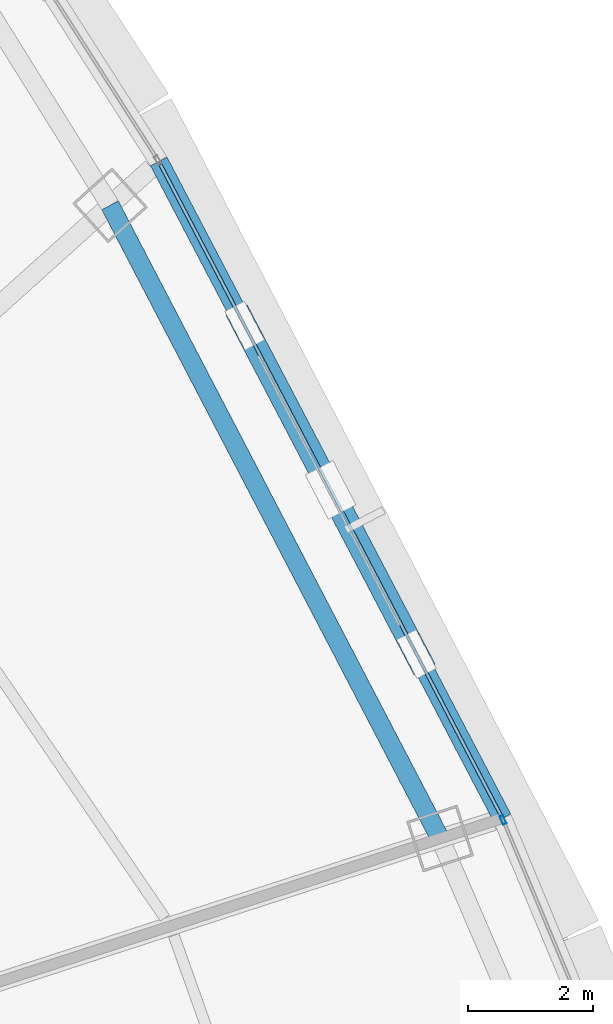
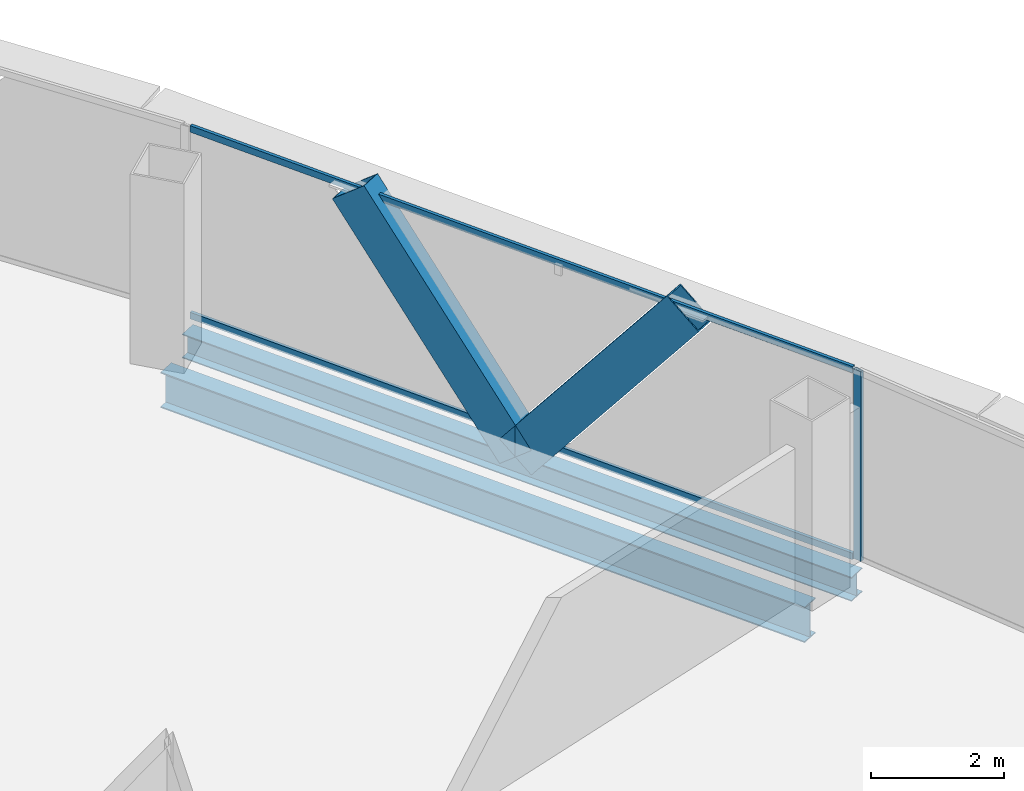
# One storey, part 15 of 36: 5 members, 2 beams, 2 elements without a shape of their own.
"""IFC4 building model written with IfcOpenShell, lengths in metres."""

from ifc_helpers import new_model, si_unit, direction, frame, origin, origin_2d, place, context, subcontext, project, spatial, hollow_rectangle, i_section, extrude, source, transform, mapped, material, layer, layer_set, material_profile, profile_set, type_object, element, aggregate, save


model = new_model("IFC4")

# Units and contexts
model_context = context("Model", 3, precision=1e-05, world=origin(), true_north=direction((0.0, 1.0)))
body_context = subcontext(model_context, "Body", "Model", "MODEL_VIEW")
ifc_project = project(units=[si_unit("LENGTHUNIT", "METRE"), si_unit("AREAUNIT", "SQUARE_METRE"), si_unit("VOLUMEUNIT", "CUBIC_METRE"), si_unit("PLANEANGLEUNIT", "RADIAN"), si_unit("MASSUNIT", "GRAM", prefix="KILO"), si_unit("THERMODYNAMICTEMPERATUREUNIT", "KELVIN"), si_unit("POWERUNIT", "WATT")], contexts=[model_context])

# Site, building, storey
site_placement = place(None, origin())
site = spatial("IfcSite", under=ifc_project, at=site_placement, CompositionType="ELEMENT")
building_placement = place(site_placement, origin())
building = spatial("IfcBuilding", under=site, at=building_placement, Name="Yunzhuo Pagoda Commons", CompositionType="ELEMENT")
storey_placement = place(building_placement, frame((0.0, 0.0, 263.179931640625)))
storey = spatial("IfcBuildingStorey", under=building, at=storey_placement, Name="L66", CompositionType="ELEMENT", Elevation=263.179931640625)

# Beams
ifc_material_1 = material(Name="Structural steel Q355B", Category="steel")
ifc_material_profile_1 = material_profile(ifc_material_1, i_section(OverallWidth=0.300048828125, OverallDepth=0.64990234375, WebThickness=0.012939453125, FlangeThickness=0.02197265625, at=origin_2d()), Name="Structural steel Q355B")
ifc_profile_set_1 = profile_set([ifc_material_profile_1], Name="Structural steel Q355B")
beam_type_1 = type_object("IfcBeamType", Name="B-RG2 Beam HN 650x300x13x22", PredefinedType="BEAM", material=ifc_profile_set_1)
shared_shape_1 = source(origin(), body_context, "Body", "SweptSolid", [
    extrude(i_section(OverallWidth=0.300048828125, OverallDepth=0.64990234375, WebThickness=0.012939453125, FlangeThickness=0.02197265625, at=origin_2d()), origin(), (0.0, 0.0, 1.0), 11.43896484375),
])
beam_1_placement = place(storey_placement, frame((73.898681640625, 42.114990234375, -0.5849609375), z_axis=(-0.462175736513, 0.886788356136, 0.0), x_axis=(-0.886788356136, -0.462175736513, 0.0)))
element("IfcBeam", 1, at=beam_1_placement, inside=storey, type_object=beam_type_1, Name="L66 column-ring beam 6", PredefinedType="BEAM", context=body_context, shape_type="MappedRepresentation", body=[
    mapped(shared_shape_1, transform((0.0, 0.0, 0.0), scale=1.0)),
])
ifc_material_profile_2 = material_profile(ifc_material_1, i_section(OverallWidth=0.300048828125, OverallDepth=0.43994140625, WebThickness=0.010986328125, FlangeThickness=0.01806640625, at=origin_2d()), Name="Structural steel Q355B")
ifc_profile_set_2 = profile_set([ifc_material_profile_2], Name="Structural steel Q355B")
beam_type_2 = type_object("IfcBeamType", Name="B-SP2 Beam HM 440x300x11x18", PredefinedType="BEAM", material=ifc_profile_set_2)
shared_shape_2 = source(origin(), body_context, "Body", "SweptSolid", [
    extrude(i_section(OverallWidth=0.300048828125, OverallDepth=0.43994140625, WebThickness=0.010986328125, FlangeThickness=0.01806640625, at=origin_2d()), origin(), (0.0, 0.0, 1.0), 11.875244140625),
])
beam_2_placement = place(storey_placement, frame((74.897216796875, 42.439453125, -0.47998046875), z_axis=(-0.463576744951, 0.88605677106, 0.0), x_axis=(-0.88605677106, -0.463576744951, 0.0)))
element("IfcBeam", 2, at=beam_2_placement, inside=storey, type_object=beam_type_2, Name="L66 facade edge spandrel beam F2.2", PredefinedType="BEAM", context=body_context, shape_type="MappedRepresentation", body=[
    mapped(shared_shape_2, transform((0.0, 0.0, 0.0), scale=1.0)),
])

# Members
ifc_material_profile_3 = material_profile(ifc_material_1, hollow_rectangle(XDim=0.3798828125, YDim=0.719970703125, WallThickness=0.02001953125, at=origin_2d()), Name="Structural steel Q355B")
ifc_profile_set_3 = profile_set([ifc_material_profile_3], Name="Structural steel Q355B")
member_type_1 = type_object("IfcMemberType", Name="M-DL3 Brace BOX 720x380x20", PredefinedType="BRACE", material=ifc_profile_set_3)
shared_shape_3 = source(origin(), body_context, "Body", "SweptSolid", [
    extrude(hollow_rectangle(XDim=0.3798828125, YDim=0.719970703125, WallThickness=0.02001953125, at=origin_2d()), origin(), (0.0, 0.0, 1.0), 4.767333984375),
])
member_1_placement = place(storey_placement, frame((72.14453125, 47.70068359375, -0.260009765625), z_axis=(0.288727963892, -0.551799186048, 0.782402595307), x_axis=(0.886035855548, 0.46361671959, 0.0)))
element("IfcMember", 3, at=member_1_placement, inside=storey, type_object=member_type_1, Name="L66 facade diamond brace F2.2L", PredefinedType="BRACE", context=body_context, shape_type="MappedRepresentation", body=[
    mapped(shared_shape_3, transform((0.0, 0.0, 0.0), scale=1.0)),
])
shared_shape_4 = source(origin(), body_context, "Body", "SweptSolid", [
    extrude(hollow_rectangle(XDim=0.3798828125, YDim=0.719970703125, WallThickness=0.02001953125, at=origin_2d()), origin(), (0.0, 0.0, 1.0), 4.76708984375),
])
member_2_placement = place(storey_placement, frame((72.14453125, 47.70068359375, -0.260009765625), z_axis=(-0.288642232642, 0.551779881917, 0.78244784072), x_axis=(-0.88608574078, -0.463521369504, 0.0)))
element("IfcMember", 4, at=member_2_placement, inside=storey, type_object=member_type_1, Name="L66 facade diamond brace F2.2R", PredefinedType="BRACE", context=body_context, shape_type="MappedRepresentation", body=[
    mapped(shared_shape_4, transform((0.0, 0.0, 0.0), scale=1.0)),
])

# Curtain wall, member
ifc_material_2 = material(Name="Anodized aluminium 6063-T6", Category="aluminium")
ifc_layer = layer(ifc_material_2, 0.139892578125)
ifc_layer_set = layer_set([ifc_layer], Name="Anodized aluminium 6063-T6")
curtain_wall_type = type_object("IfcCurtainWallType", Name="CW-HI High-Zone Ribbon Curtain Wall", PredefinedType="NOTDEFINED", material=ifc_layer_set)
curtain_wall_1_placement = place(storey_placement, origin())
curtain_wall_1 = element("IfcCurtainWall", 5, at=curtain_wall_1_placement, inside=storey, type_object=curtain_wall_type, Name="L66 curtain wall CW-L66-F2B2", PredefinedType="NOTDEFINED")
ifc_material_profile_4 = material_profile(ifc_material_2, hollow_rectangle(XDim=0.06005859375, YDim=0.139892578125, WallThickness=0.00341796875, at=origin_2d()), Name="Anodized aluminium 6063-T6")
ifc_profile_set_4 = profile_set([ifc_material_profile_4], Name="Anodized aluminium 6063-T6")
member_type_2 = type_object("IfcMemberType", Name="CW-HI-M Mullion RHS 140x60x3.5", PredefinedType="MULLION", material=ifc_profile_set_4)
shared_shape_5 = source(origin(), body_context, "Body", "SweptSolid", [
    extrude(hollow_rectangle(XDim=0.06005859375, YDim=0.139892578125, WallThickness=0.00341796875, at=origin_2d()), origin(), (0.0, 0.0, 1.0), 3.469970703125),
])
member_3_placement = place(storey_placement, frame((74.90869140625, 42.41162109375, 0.0), z_axis=(0.0, 0.0, 1.0), x_axis=(-0.922909845486, -0.385016125772, 0.0)))
member_3 = element("IfcMember", 6, at=member_3_placement, type_object=member_type_2, Name="CW mullion 2", PredefinedType="MULLION", context=body_context, shape_type="MappedRepresentation", body=[
    mapped(shared_shape_5, transform((0.0, 0.0, 0.0), scale=1.0)),
])
aggregate(curtain_wall_1, [member_3])

# Curtain wall, members
curtain_wall_2_placement = place(storey_placement, origin())
curtain_wall_2 = element("IfcCurtainWall", 7, at=curtain_wall_2_placement, inside=storey, type_object=curtain_wall_type, Name="L66 curtain wall CW-L66-F2B3", PredefinedType="NOTDEFINED")
ifc_material_profile_5 = material_profile(ifc_material_2, hollow_rectangle(XDim=0.054931640625, YDim=0.1201171875, WallThickness=0.00341796875, at=origin_2d()), Name="Anodized aluminium 6063-T6")
ifc_profile_set_5 = profile_set([ifc_material_profile_5], Name="Anodized aluminium 6063-T6")
member_type_3 = type_object("IfcMemberType", Name="CW-HI-T Transom RHS 120x55x3.5", PredefinedType="USERDEFINED", material=ifc_profile_set_5)
shared_shape_6 = source(origin(), body_context, "Body", "SweptSolid", [
    extrude(hollow_rectangle(XDim=0.054931640625, YDim=0.1201171875, WallThickness=0.00341796875, at=origin_2d()), origin(), (0.0, 0.0, 1.0), 11.755126953125),
])
member_4_placement = place(storey_placement, frame((74.869384765625, 42.49267578125, 0.02783203125), z_axis=(-0.463578557885, 0.886055822547, 0.0), x_axis=(-0.886055822547, -0.463578557885, 0.0)))
member_4 = element("IfcMember", 8, at=member_4_placement, type_object=member_type_3, Name="CW transom 1.1", ObjectType="TRANSOM", PredefinedType="USERDEFINED", context=body_context, shape_type="MappedRepresentation", body=[
    mapped(shared_shape_6, transform((0.0, 0.0, 0.0), scale=1.0)),
])
member_5_placement = place(storey_placement, frame((74.869384765625, 42.49267578125, 3.442626953125), z_axis=(-0.463578557885, 0.886055822547, 0.0), x_axis=(-0.886055822547, -0.463578557885, 0.0)))
member_5 = element("IfcMember", 9, at=member_5_placement, type_object=member_type_3, Name="CW transom 1.2", ObjectType="TRANSOM", PredefinedType="USERDEFINED", context=body_context, shape_type="MappedRepresentation", body=[
    mapped(shared_shape_6, transform((0.0, 0.0, 0.0), scale=1.0)),
])
aggregate(curtain_wall_2, [member_4, member_5])

save(model, "model.ifc")
